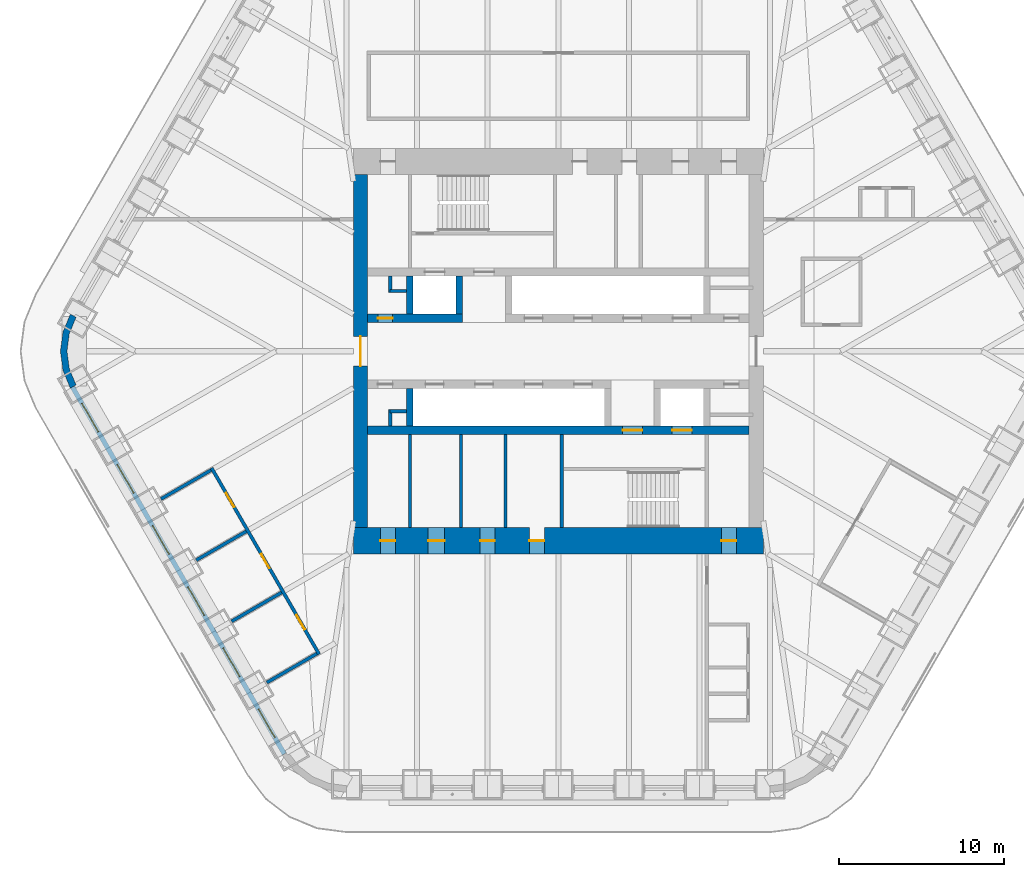
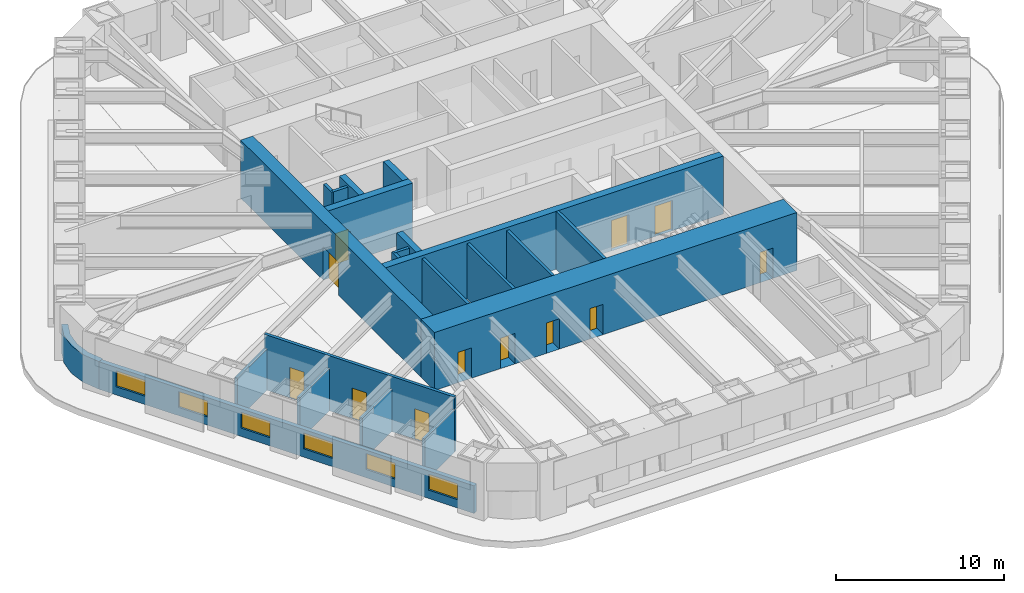
# One storey, part 13 of 18: 22 walls, 12 doors, 6 windows, 18 openings.
"""IFC4 building model written with IfcOpenShell, lengths in metres."""

from ifc_helpers import new_model, si_unit, direction, frame, frame_2d, origin, place, context, subcontext, project, spatial, polyline, rectangle, outline, extrude, material, layer, layer_set, type_object, element, fill, save


model = new_model("IFC4")

# Units and contexts
model_context = context("Model", 3, precision=1e-05, world=origin(), true_north=direction((0.0, 1.0)))
body_context = subcontext(model_context, "Body", "Model", "MODEL_VIEW")
ifc_project = project(units=[si_unit("LENGTHUNIT", "METRE"), si_unit("AREAUNIT", "SQUARE_METRE"), si_unit("VOLUMEUNIT", "CUBIC_METRE"), si_unit("PLANEANGLEUNIT", "RADIAN"), si_unit("MASSUNIT", "GRAM", prefix="KILO")], contexts=[model_context])

# Site, building, storey
site_placement = place(None, origin())
site = spatial("IfcSite", under=ifc_project, at=site_placement, CompositionType="ELEMENT")
building_placement = place(site_placement, origin())
building = spatial("IfcBuilding", under=site, at=building_placement, Name="Tarfa Lantern Tower", CompositionType="ELEMENT")
storey_placement = place(building_placement, frame((0.0, 0.0, 311.5)))
storey = spatial("IfcBuildingStorey", under=building, at=storey_placement, Name="L70", CompositionType="ELEMENT", Elevation=311.5)

# Wall, openings, windows
ifc_material_1 = material(Name="Limestone cladding on blockwork", Category="masonry")
ifc_layer_1 = layer(ifc_material_1, 0.300048828125)
ifc_layer_set_1 = layer_set([ifc_layer_1], Name="EW1 STONE-CLAD WALL 300")
wall_type_1 = type_object("IfcWallType", Name="EW1 STONE-CLAD WALL 300", PredefinedType="SOLIDWALL", material=ifc_layer_set_1)
wall_1_placement = place(storey_placement, frame((-29.459228515625, -2.175048828125, 0.0), z_axis=(0.0, 0.0, 1.0), x_axis=(0.499997191038, -0.866027025533, 0.0)))
wall_1 = element("IfcWall", 1, at=wall_1_placement, inside=storey, type_object=wall_type_1, Name="Stone wall SW", PredefinedType="SOLIDWALL", context=body_context, shape_type="SweptSolid", body=[
    extrude(rectangle(XDim=25.692138671875, YDim=0.300048828125, at=frame_2d((12.84619140625, 0.0))), origin(), (0.0, 0.0, 1.0), 2.0),
])
opening_1_placement = place(wall_1_placement, frame((1.14111328125, 0.0, 0.60009765625)))
opening_1 = element("IfcOpeningElement", 2, at=opening_1_placement, cuts=wall_1, Name="Opening W12", PredefinedType="OPENING", context=body_context, shape_type="SweptSolid", body=[
    extrude(rectangle(XDim=2.0, YDim=1.14990234375, at=frame_2d((1.0, 0.574951171875))), frame((0.0, 0.159912109375, 0.0), z_axis=(0.0, -1.0, 0.0), x_axis=(1.0, 0.0, 0.0)), (0.0, 0.0, 1.0), 0.320068359375),
])
opening_2_placement = place(wall_1_placement, frame((5.423095703125, 0.0, 0.60009765625)))
opening_2 = element("IfcOpeningElement", 3, at=opening_2_placement, cuts=wall_1, Name="Opening W12", PredefinedType="OPENING", context=body_context, shape_type="SweptSolid", body=[
    extrude(rectangle(XDim=2.0, YDim=1.14990234375, at=frame_2d((1.0, 0.574951171875))), frame((0.0, 0.159912109375, 0.0), z_axis=(0.0, -1.0, 0.0), x_axis=(1.0, 0.0, 0.0)), (0.0, 0.0, 1.0), 0.320068359375),
])
opening_3_placement = place(wall_1_placement, frame((9.705078125, 0.0, 0.60009765625)))
opening_3 = element("IfcOpeningElement", 4, at=opening_3_placement, cuts=wall_1, Name="Opening W12", PredefinedType="OPENING", context=body_context, shape_type="SweptSolid", body=[
    extrude(rectangle(XDim=2.0, YDim=1.14990234375, at=frame_2d((1.0, 0.574951171875))), frame((0.0, 0.159912109375, 0.0), z_axis=(0.0, -1.0, 0.0), x_axis=(1.0, 0.0, 0.0)), (0.0, 0.0, 1.0), 0.320068359375),
])
opening_4_placement = place(wall_1_placement, frame((13.987060546875, 0.0, 0.60009765625)))
opening_4 = element("IfcOpeningElement", 5, at=opening_4_placement, cuts=wall_1, Name="Opening W12", PredefinedType="OPENING", context=body_context, shape_type="SweptSolid", body=[
    extrude(rectangle(XDim=2.0, YDim=1.14990234375, at=frame_2d((1.0, 0.574951171875))), frame((0.0, 0.159912109375, 0.0), z_axis=(0.0, -1.0, 0.0), x_axis=(1.0, 0.0, 0.0)), (0.0, 0.0, 1.0), 0.320068359375),
])
opening_5_placement = place(wall_1_placement, frame((18.26904296875, 0.0, 0.60009765625)))
opening_5 = element("IfcOpeningElement", 6, at=opening_5_placement, cuts=wall_1, Name="Opening W12", PredefinedType="OPENING", context=body_context, shape_type="SweptSolid", body=[
    extrude(rectangle(XDim=2.0, YDim=1.14990234375, at=frame_2d((1.0, 0.574951171875))), frame((0.0, 0.159912109375, 0.0), z_axis=(0.0, -1.0, 0.0), x_axis=(1.0, 0.0, 0.0)), (0.0, 0.0, 1.0), 0.320068359375),
])
opening_6_placement = place(wall_1_placement, frame((22.551025390625, 0.0, 0.60009765625)))
opening_6 = element("IfcOpeningElement", 7, at=opening_6_placement, cuts=wall_1, Name="Opening W12", PredefinedType="OPENING", context=body_context, shape_type="SweptSolid", body=[
    extrude(rectangle(XDim=2.0, YDim=1.14990234375, at=frame_2d((1.0, 0.574951171875))), frame((0.0, 0.159912109375, 0.0), z_axis=(0.0, -1.0, 0.0), x_axis=(1.0, 0.0, 0.0)), (0.0, 0.0, 1.0), 0.320068359375),
])
ifc_material_2 = material(Name="Aluminium frame, double glazed", Category="aluminium")
window_type = type_object("IfcWindowType", Name="W12 FULL-HEIGHT GLAZING 2000x1150", PartitioningType="SINGLE_PANEL", PredefinedType="WINDOW", material=ifc_material_2)
window_1_placement = place(opening_1_placement, origin())
window_1 = element("IfcWindow", 8, at=window_1_placement, inside=storey, type_object=window_type, Name="Window SW 1", OverallHeight=1.14990234375, OverallWidth=2.0, PartitioningType="SINGLE_PANEL", PredefinedType="WINDOW", context=body_context, shape_type="SweptSolid", body=[
    extrude(rectangle(XDim=2.0, YDim=1.14990234375, at=frame_2d((1.0, 0.574951171875))), frame((0.0, 0.030029296875, 0.0), z_axis=(0.0, -1.0, 0.0), x_axis=(1.0, 0.0, 0.0)), (0.0, 0.0, 1.0), 0.06005859375),
])
fill(opening_1, window_1)
window_2_placement = place(opening_2_placement, origin())
window_2 = element("IfcWindow", 9, at=window_2_placement, inside=storey, type_object=window_type, Name="Window SW 2", OverallHeight=1.14990234375, OverallWidth=2.0, PartitioningType="SINGLE_PANEL", PredefinedType="WINDOW", context=body_context, shape_type="SweptSolid", body=[
    extrude(rectangle(XDim=2.0, YDim=1.14990234375, at=frame_2d((1.0, 0.574951171875))), frame((0.0, 0.030029296875, 0.0), z_axis=(0.0, -1.0, 0.0), x_axis=(1.0, 0.0, 0.0)), (0.0, 0.0, 1.0), 0.06005859375),
])
fill(opening_2, window_2)
window_3_placement = place(opening_3_placement, origin())
window_3 = element("IfcWindow", 10, at=window_3_placement, inside=storey, type_object=window_type, Name="Window SW 3", OverallHeight=1.14990234375, OverallWidth=2.0, PartitioningType="SINGLE_PANEL", PredefinedType="WINDOW", context=body_context, shape_type="SweptSolid", body=[
    extrude(rectangle(XDim=2.0, YDim=1.14990234375, at=frame_2d((1.0, 0.574951171875))), frame((0.0, 0.030029296875, 0.0), z_axis=(0.0, -1.0, 0.0), x_axis=(1.0, 0.0, 0.0)), (0.0, 0.0, 1.0), 0.06005859375),
])
fill(opening_3, window_3)
window_4_placement = place(opening_4_placement, origin())
window_4 = element("IfcWindow", 11, at=window_4_placement, inside=storey, type_object=window_type, Name="Window SW 4", OverallHeight=1.14990234375, OverallWidth=2.0, PartitioningType="SINGLE_PANEL", PredefinedType="WINDOW", context=body_context, shape_type="SweptSolid", body=[
    extrude(rectangle(XDim=2.0, YDim=1.14990234375, at=frame_2d((1.0, 0.574951171875))), frame((0.0, 0.030029296875, 0.0), z_axis=(0.0, -1.0, 0.0), x_axis=(1.0, 0.0, 0.0)), (0.0, 0.0, 1.0), 0.06005859375),
])
fill(opening_4, window_4)
window_5_placement = place(opening_5_placement, origin())
window_5 = element("IfcWindow", 12, at=window_5_placement, inside=storey, type_object=window_type, Name="Window SW 5", OverallHeight=1.14990234375, OverallWidth=2.0, PartitioningType="SINGLE_PANEL", PredefinedType="WINDOW", context=body_context, shape_type="SweptSolid", body=[
    extrude(rectangle(XDim=2.0, YDim=1.14990234375, at=frame_2d((1.0, 0.574951171875))), frame((0.0, 0.030029296875, 0.0), z_axis=(0.0, -1.0, 0.0), x_axis=(1.0, 0.0, 0.0)), (0.0, 0.0, 1.0), 0.06005859375),
])
fill(opening_5, window_5)
window_6_placement = place(opening_6_placement, origin())
window_6 = element("IfcWindow", 13, at=window_6_placement, inside=storey, type_object=window_type, Name="Window SW 6", OverallHeight=1.14990234375, OverallWidth=2.0, PartitioningType="SINGLE_PANEL", PredefinedType="WINDOW", context=body_context, shape_type="SweptSolid", body=[
    extrude(rectangle(XDim=2.0, YDim=1.14990234375, at=frame_2d((1.0, 0.574951171875))), frame((0.0, 0.030029296875, 0.0), z_axis=(0.0, -1.0, 0.0), x_axis=(1.0, 0.0, 0.0)), (0.0, 0.0, 1.0), 0.06005859375),
])
fill(opening_6, window_6)

# Walls
ifc_layer_2 = layer(ifc_material_1, 0.39990234375)
ifc_layer_set_2 = layer_set([ifc_layer_2], Name="EW2 CURVED STONE CORNER 400")
wall_type_2 = type_object("IfcWallType", Name="EW2 CURVED STONE CORNER 400", PredefinedType="SOLIDWALL", material=ifc_layer_set_2)
wall_2_placement = place(storey_placement, origin())
element("IfcWall", 14, at=wall_2_placement, inside=storey, type_object=wall_type_2, Name="Stone corner NW-SW", PredefinedType="SOLIDWALL", context=body_context, shape_type="SweptSolid", body=[
    extrude(outline(polyline([(-29.589111328125, 2.25), (-30.038818359375, 1.164794921875), (-30.192138671875, 0.0), (-30.038818359375, -1.164794921875), (-29.589111328125, -2.25), (-29.24267578125, -2.050048828125), (-29.65234375, -1.061279296875), (-29.7919921875, 0.0), (-29.65234375, 1.061279296875), (-29.24267578125, 2.050048828125), (-29.589111328125, 2.25)])), origin(), (0.0, 0.0, 1.0), 2.0),
])
ifc_material_3 = material(Name="Concrete blockwork", Category="masonry")
ifc_layer_3 = layer(ifc_material_3, 0.199951171875)
ifc_layer_set_3 = layer_set([ifc_layer_3], Name="IW1 BLOCKWORK PARTITION 200 EI 120")
wall_type_3 = type_object("IfcWallType", Name="IW1 BLOCKWORK PARTITION 200 EI 120", PredefinedType="PARTITIONING", material=ifc_layer_set_3)
for number, where, z_axis, x_axis, name in (
    (15, (-9.0, -5.050048828125, 0.0), (0.0, 0.0, 1.0), (0.0, -1.0, 0.0), "Core partition"),
    (16, (-3.199951171875, -5.050048828125, 0.0), (0.0, 0.0, 1.0), (0.0, -1.0, 0.0), "Core partition"),
    (17, (-5.89990234375, -5.050048828125, 0.0), (0.0, 0.0, 1.0), (0.0, -1.0, 0.0), "Core partition"),
):
    element("IfcWall", number, at=place(storey_placement, frame(where, z_axis=z_axis, x_axis=x_axis)), inside=storey, type_object=wall_type_3, Name=name, PredefinedType="PARTITIONING", context=body_context, shape_type="SweptSolid", body=[
        extrude(rectangle(XDim=5.64990234375, YDim=0.199951171875, at=frame_2d((2.824951171875, 0.0))), origin(), (0.0, 0.0, 1.0), 4.0),
    ])
for number, where, z_axis, x_axis, name in (
    (18, (-10.199951171875, 3.64990234375, 0.0), (0.0, 0.0, 1.0), (1.0, 0.0, 0.0), "Core partition"),
    (19, (-10.199951171875, 3.550048828125, 0.0), (0.0, 0.0, 1.0), (0.0, 1.0, 0.0), "Core partition"),
    (20, (-9.199951171875, -3.64990234375, 0.0), (0.0, 0.0, 1.0), (-1.0, 0.0, 0.0), "Core partition"),
    (21, (-10.199951171875, -3.550048828125, 0.0), (0.0, 0.0, 1.0), (0.0, -1.0, 0.0), "Core partition"),
):
    element("IfcWall", number, at=place(storey_placement, frame(where, z_axis=z_axis, x_axis=x_axis)), inside=storey, type_object=wall_type_3, Name=name, PredefinedType="PARTITIONING", context=body_context, shape_type="SweptSolid", body=[
        extrude(rectangle(XDim=1.0, YDim=0.199951171875, at=frame_2d((0.5, 0.0))), origin(), (0.0, 0.0, 1.0), 4.0),
    ])

# Wall, openings, doors
ifc_material_4 = material(Name="Gypsum board on steel studs", Category="steel")
ifc_layer_4 = layer(ifc_material_4, 0.2099609375)
ifc_layer_set_4 = layer_set([ifc_layer_4], Name="IW2 ACOUSTIC PARTITION 200")
wall_type_4 = type_object("IfcWallType", Name="IW2 ACOUSTIC PARTITION 200", PredefinedType="PARTITIONING", material=ifc_layer_set_4)
wall_3_placement = place(storey_placement, frame((-21.027099609375, -7.080078125, 0.0), z_axis=(0.0, 0.0, 1.0), x_axis=(0.499999460936, -0.866025715013, 0.0)))
wall_3 = element("IfcWall", 22, at=wall_3_placement, inside=storey, type_object=wall_type_4, Name="Partition", PredefinedType="PARTITIONING", context=body_context, shape_type="SweptSolid", body=[
    extrude(rectangle(XDim=13.0458984375, YDim=0.199951171875, at=frame_2d((6.52294921875, 0.0))), origin(), (0.0, 0.0, 1.0), 4.0),
])
opening_7_placement = place(wall_3_placement, frame((1.740966796875, 0.0, 0.0)))
opening_7 = element("IfcOpeningElement", 23, at=opening_7_placement, cuts=wall_3, Name="Opening D23", PredefinedType="OPENING", context=body_context, shape_type="SweptSolid", body=[
    extrude(rectangle(XDim=1.0, YDim=2.199951171875, at=frame_2d((0.5, 1.10009765625))), frame((0.0, 0.10986328125, 0.0), z_axis=(0.0, -1.0, 0.0), x_axis=(1.0, 0.0, 0.0)), (0.0, 0.0, 1.0), 0.219970703125),
])
opening_8_placement = place(wall_3_placement, frame((6.02294921875, 0.0, 0.0)))
opening_8 = element("IfcOpeningElement", 24, at=opening_8_placement, cuts=wall_3, Name="Opening D24", PredefinedType="OPENING", context=body_context, shape_type="SweptSolid", body=[
    extrude(rectangle(XDim=1.0, YDim=2.199951171875, at=frame_2d((0.5, 1.10009765625))), frame((0.0, 0.10986328125, 0.0), z_axis=(0.0, -1.0, 0.0), x_axis=(1.0, 0.0, 0.0)), (0.0, 0.0, 1.0), 0.219970703125),
])
opening_9_placement = place(wall_3_placement, frame((10.304931640625, 0.0, 0.0)))
opening_9 = element("IfcOpeningElement", 25, at=opening_9_placement, cuts=wall_3, Name="Opening D25", PredefinedType="OPENING", context=body_context, shape_type="SweptSolid", body=[
    extrude(rectangle(XDim=1.0, YDim=2.199951171875, at=frame_2d((0.5, 1.10009765625))), frame((0.0, 0.10986328125, 0.0), z_axis=(0.0, -1.0, 0.0), x_axis=(1.0, 0.0, 0.0)), (0.0, 0.0, 1.0), 0.219970703125),
])
ifc_material_5 = material(Name="Timber door", Category="wood")
door_type_1 = type_object("IfcDoorType", Name="DR1 ROOM DOOR 1000x2200", OperationType="SINGLE_SWING_LEFT", PredefinedType="DOOR", material=ifc_material_5)
door_1_placement = place(opening_7_placement, frame((1.0, 0.0, 0.0), z_axis=(0.0, 0.0, 1.0), x_axis=(-1.0, 0.0, 0.0)))
door_1 = element("IfcDoor", 26, at=door_1_placement, inside=storey, type_object=door_type_1, Name="Prayer room male door", OperationType="SINGLE_SWING_LEFT", OverallHeight=2.199951171875, OverallWidth=1.0, PredefinedType="DOOR", context=body_context, shape_type="SweptSolid", body=[
    extrude(rectangle(XDim=1.0, YDim=2.199951171875, at=frame_2d((0.5, 1.10009765625))), frame((0.0, 0.02490234375, 0.0), z_axis=(0.0, -1.0, 0.0), x_axis=(1.0, 0.0, 0.0)), (0.0, 0.0, 1.0), 0.050048828125),
])
fill(opening_7, door_1)
door_2_placement = place(opening_8_placement, frame((1.0, 0.0, 0.0), z_axis=(0.0, 0.0, 1.0), x_axis=(-1.0, 0.0, 0.0)))
door_2 = element("IfcDoor", 27, at=door_2_placement, inside=storey, type_object=door_type_1, Name="Ablution room door", OperationType="SINGLE_SWING_RIGHT", OverallHeight=2.199951171875, OverallWidth=1.0, PredefinedType="DOOR", context=body_context, shape_type="SweptSolid", body=[
    extrude(rectangle(XDim=1.0, YDim=2.199951171875, at=frame_2d((0.5, 1.10009765625))), frame((0.0, 0.02490234375, 0.0), z_axis=(0.0, -1.0, 0.0), x_axis=(1.0, 0.0, 0.0)), (0.0, 0.0, 1.0), 0.050048828125),
])
fill(opening_8, door_2)
door_3_placement = place(opening_9_placement, frame((1.0, 0.0, 0.0), z_axis=(0.0, 0.0, 1.0), x_axis=(-1.0, 0.0, 0.0)))
door_3 = element("IfcDoor", 28, at=door_3_placement, inside=storey, type_object=door_type_1, Name="Prayer room female door", OperationType="SINGLE_SWING_RIGHT", OverallHeight=2.199951171875, OverallWidth=1.0, PredefinedType="DOOR", context=body_context, shape_type="SweptSolid", body=[
    extrude(rectangle(XDim=1.0, YDim=2.199951171875, at=frame_2d((0.5, 1.10009765625))), frame((0.0, 0.02490234375, 0.0), z_axis=(0.0, -1.0, 0.0), x_axis=(1.0, 0.0, 0.0)), (0.0, 0.0, 1.0), 0.050048828125),
])
fill(opening_9, door_3)

# Walls
wall_4_placement = place(storey_placement, frame((-21.063720703125, -7.216552734375, 0.0), z_axis=(0.0, 0.0, 1.0), x_axis=(-0.866019471182, -0.500010275428, 0.0)))
element("IfcWall", 29, at=wall_4_placement, inside=storey, type_object=wall_type_4, Name="Partition", PredefinedType="PARTITIONING", context=body_context, shape_type="SweptSolid", body=[
    extrude(rectangle(XDim=3.5, YDim=0.199951171875, at=frame_2d((1.75, 0.0))), origin(), (0.0, 0.0, 1.0), 2.991943359375),
])
wall_5_placement = place(storey_placement, frame((-18.922607421875, -10.925048828125, 0.0), z_axis=(0.0, 0.0, 1.0), x_axis=(-0.866036909293, -0.499980071345, 0.0)))
element("IfcWall", 30, at=wall_5_placement, inside=storey, type_object=wall_type_4, Name="Partition", PredefinedType="PARTITIONING", context=body_context, shape_type="SweptSolid", body=[
    extrude(rectangle(XDim=3.500244140625, YDim=0.199951171875, at=frame_2d((1.75, 0.0))), origin(), (0.0, 0.0, 1.0), 3.08154296875),
])
for number, where, z_axis, x_axis, name in (
    (31, (-16.78173828125, -14.63330078125, 0.0), (0.0, 0.0, 1.0), (-0.866019471182, -0.500010275428, 0.0), "Partition"),
    (32, (-14.640625, -18.341552734375, 0.0), (0.0, 0.0, 1.0), (-0.866019471182, -0.500010275428, 0.0), "Partition"),
):
    element("IfcWall", number, at=place(storey_placement, frame(where, z_axis=z_axis, x_axis=x_axis)), inside=storey, type_object=wall_type_4, Name=name, PredefinedType="PARTITIONING", context=body_context, shape_type="SweptSolid", body=[
        extrude(rectangle(XDim=3.5, YDim=0.199951171875, at=frame_2d((1.75, 0.0))), origin(), (0.0, 0.0, 1.0), 3.08154296875),
    ])
ifc_material_6 = material(Name="Concrete C80/95", Category="concrete")
ifc_layer_5 = layer(ifc_material_6, 0.199951171875)
ifc_layer_set_5 = layer_set([ifc_layer_5], Name="SW12 CORE WALL 200")
wall_type_5 = type_object("IfcWallType", Name="SW12 CORE WALL 200", PredefinedType="SHEAR", material=ifc_layer_set_5)
wall_6_placement = place(storey_placement, frame((0.199951171875, -5.050048828125, 0.0), z_axis=(0.0, 0.0, 1.0), x_axis=(0.0, -1.0, 0.0)))
element("IfcWall", 33, at=wall_6_placement, inside=storey, type_object=wall_type_5, Name="Core wall stair shaft S", PredefinedType="SHEAR", context=body_context, shape_type="SweptSolid", body=[
    extrude(rectangle(XDim=5.64990234375, YDim=0.199951171875, at=frame_2d((2.824951171875, 0.0))), origin(), (0.0, 0.0, 1.0), 4.199951171875),
])

# Wall, opening, door
ifc_layer_6 = layer(ifc_material_6, 0.85009765625)
ifc_layer_set_6 = layer_set([ifc_layer_6], Name="SW3 CORE WALL 850")
wall_type_6 = type_object("IfcWallType", Name="SW3 CORE WALL 850", PredefinedType="SHEAR", material=ifc_layer_set_6)
wall_7_placement = place(storey_placement, frame((-12.0, 10.699951171875, 0.0), z_axis=(0.0, 0.0, 1.0), x_axis=(0.0, -1.0, 0.0)))
wall_7 = element("IfcWall", 34, at=wall_7_placement, inside=storey, type_object=wall_type_6, Name="Core wall W", PredefinedType="SHEAR", context=body_context, shape_type="SweptSolid", body=[
    extrude(rectangle(XDim=21.39990234375, YDim=0.85009765625, at=frame_2d((10.699951171875, 0.0))), origin(), (0.0, 0.0, 1.0), 4.199951171875),
])
opening_10_placement = place(wall_7_placement, frame((9.800048828125, 0.0, 0.0)))
opening_10 = element("IfcOpeningElement", 35, at=opening_10_placement, cuts=wall_7, Name="Opening D08", PredefinedType="OPENING", context=body_context, shape_type="SweptSolid", body=[
    extrude(rectangle(XDim=1.800048828125, YDim=2.39990234375, at=frame_2d((0.89990234375, 1.199951171875))), frame((0.0, 0.43505859375, 0.0), z_axis=(0.0, -1.0, 0.0), x_axis=(1.0, 0.0, 0.0)), (0.0, 0.0, 1.0), 0.8701171875),
])
ifc_material_7 = material(Name="Steel fire door", Category="steel")
door_type_2 = type_object("IfcDoorType", Name="DL1 LOBBY DOOR 1800x2400", OperationType="DOUBLE_DOOR_SINGLE_SWING", PredefinedType="DOOR", material=ifc_material_7)
door_4_placement = place(opening_10_placement, frame((1.800048828125, 0.0, 0.0), z_axis=(0.0, 0.0, 1.0), x_axis=(-1.0, 0.0, 0.0)))
door_4 = element("IfcDoor", 36, at=door_4_placement, inside=storey, type_object=door_type_2, Name="Lift lobby door", OperationType="DOUBLE_DOOR_SINGLE_SWING", OverallHeight=2.39990234375, OverallWidth=1.800048828125, PredefinedType="DOOR", context=body_context, shape_type="SweptSolid", body=[
    extrude(rectangle(XDim=1.800048828125, YDim=2.39990234375, at=frame_2d((0.89990234375, 1.199951171875))), frame((0.0, 0.02490234375, 0.0), z_axis=(0.0, -1.0, 0.0), x_axis=(1.0, 0.0, 0.0)), (0.0, 0.0, 1.0), 0.050048828125),
])
fill(opening_10, door_4)

ifc_layer_7 = layer(ifc_material_6, 0.5)
ifc_layer_set_7 = layer_set([ifc_layer_7], Name="SW5 CORE WALL 500")
wall_type_7 = type_object("IfcWallType", Name="SW5 CORE WALL 500", PredefinedType="SHEAR", material=ifc_layer_set_7)
wall_8_placement = place(storey_placement, frame((-11.574951171875, 2.0, 0.0), z_axis=(0.0, 0.0, 1.0), x_axis=(1.0, 0.0, 0.0)))
wall_8 = element("IfcWall", 37, at=wall_8_placement, inside=storey, type_object=wall_type_7, Name="Core wall lobby west N", PredefinedType="SHEAR", context=body_context, shape_type="SweptSolid", body=[
    extrude(rectangle(XDim=5.77490234375, YDim=0.5, at=frame_2d((2.887451171875, 0.0))), origin(), (0.0, 0.0, 1.0), 4.199951171875),
])
opening_11_placement = place(wall_8_placement, frame((0.625, 0.0, 0.0)))
opening_11 = element("IfcOpeningElement", 38, at=opening_11_placement, cuts=wall_8, Name="Opening D11", PredefinedType="OPENING", context=body_context, shape_type="SweptSolid", body=[
    extrude(rectangle(XDim=0.89990234375, YDim=2.199951171875, at=frame_2d((0.449951171875, 1.10009765625))), frame((0.0, 0.260009765625, 0.0), z_axis=(0.0, -1.0, 0.0), x_axis=(1.0, 0.0, 0.0)), (0.0, 0.0, 1.0), 0.52001953125),
])
door_type_3 = type_object("IfcDoorType", Name="DF6 SERVICE ROOM DOOR 900x2200", OperationType="SINGLE_SWING_LEFT", PredefinedType="DOOR", material=ifc_material_7)
door_5_placement = place(opening_11_placement, origin())
door_5 = element("IfcDoor", 39, at=door_5_placement, inside=storey, type_object=door_type_3, Name="Service room door", OperationType="SINGLE_SWING_RIGHT", OverallHeight=2.199951171875, OverallWidth=0.89990234375, PredefinedType="DOOR", context=body_context, shape_type="SweptSolid", body=[
    extrude(rectangle(XDim=0.89990234375, YDim=2.199951171875, at=frame_2d((0.449951171875, 1.10009765625))), frame((0.0, 0.02490234375, 0.0), z_axis=(0.0, -1.0, 0.0), x_axis=(1.0, 0.0, 0.0)), (0.0, 0.0, 1.0), 0.050048828125),
])
fill(opening_11, door_5)

# Wall, openings, doors
wall_9_placement = place(storey_placement, frame((11.574951171875, -4.800048828125, 0.0), z_axis=(0.0, 0.0, 1.0), x_axis=(-1.0, 0.0, 0.0)))
wall_9 = element("IfcWall", 40, at=wall_9_placement, inside=storey, type_object=wall_type_7, Name="Core wall rear S", PredefinedType="SHEAR", context=body_context, shape_type="SweptSolid", body=[
    extrude(rectangle(XDim=23.14990234375, YDim=0.5, at=frame_2d((11.574951171875, 0.0))), origin(), (0.0, 0.0, 1.0), 4.199951171875),
])
opening_12_placement = place(wall_9_placement, frame((6.47509765625, 0.0, 0.0)))
opening_12 = element("IfcOpeningElement", 41, at=opening_12_placement, cuts=wall_9, Name="Opening D06", PredefinedType="OPENING", context=body_context, shape_type="SweptSolid", body=[
    extrude(rectangle(XDim=1.199951171875, YDim=2.199951171875, at=frame_2d((0.60009765625, 1.10009765625))), frame((0.0, 0.260009765625, 0.0), z_axis=(0.0, -1.0, 0.0), x_axis=(1.0, 0.0, 0.0)), (0.0, 0.0, 1.0), 0.52001953125),
])
opening_13_placement = place(wall_9_placement, frame((3.47509765625, 0.0, 0.0)))
opening_13 = element("IfcOpeningElement", 42, at=opening_13_placement, cuts=wall_9, Name="Opening LD02", PredefinedType="OPENING", context=body_context, shape_type="SweptSolid", body=[
    extrude(rectangle(XDim=1.199951171875, YDim=2.199951171875, at=frame_2d((0.60009765625, 1.10009765625))), frame((0.0, 0.260009765625, 0.0), z_axis=(0.0, -1.0, 0.0), x_axis=(1.0, 0.0, 0.0)), (0.0, 0.0, 1.0), 0.52001953125),
])
door_type_4 = type_object("IfcDoorType", Name="DF1 FIREFIGHTING LOBBY DOOR 1200x2200", OperationType="SINGLE_SWING_LEFT", PredefinedType="DOOR", material=ifc_material_7)
door_6_placement = place(opening_12_placement, origin())
door_6 = element("IfcDoor", 43, at=door_6_placement, inside=storey, type_object=door_type_4, Name="Firefighting lobby door", OperationType="SINGLE_SWING_LEFT", OverallHeight=2.199951171875, OverallWidth=1.199951171875, PredefinedType="DOOR", context=body_context, shape_type="SweptSolid", body=[
    extrude(rectangle(XDim=1.199951171875, YDim=2.199951171875, at=frame_2d((0.60009765625, 1.10009765625))), frame((0.0, 0.02490234375, 0.0), z_axis=(0.0, -1.0, 0.0), x_axis=(1.0, 0.0, 0.0)), (0.0, 0.0, 1.0), 0.050048828125),
])
fill(opening_12, door_6)
ifc_material_8 = material(Name="Stainless steel lift door", Category="steel")
door_type_5 = type_object("IfcDoorType", Name="LD1 LIFT LANDING DOOR 1200x2200", OperationType="SLIDING_TO_LEFT", PredefinedType="DOOR", material=ifc_material_8)
door_7_placement = place(opening_13_placement, origin())
door_7 = element("IfcDoor", 44, at=door_7_placement, inside=storey, type_object=door_type_5, Name="Landing door FL2", OperationType="SLIDING_TO_LEFT", OverallHeight=2.199951171875, OverallWidth=1.199951171875, PredefinedType="DOOR", context=body_context, shape_type="SweptSolid", body=[
    extrude(rectangle(XDim=1.199951171875, YDim=2.199951171875, at=frame_2d((0.60009765625, 1.10009765625))), frame((0.0, 0.02490234375, 0.0), z_axis=(0.0, -1.0, 0.0), x_axis=(1.0, 0.0, 0.0)), (0.0, 0.0, 1.0), 0.050048828125),
])
fill(opening_13, door_7)

# Walls
ifc_layer_8 = layer(ifc_material_6, 0.39990234375)
ifc_layer_set_8 = layer_set([ifc_layer_8], Name="SW6 CORE WALL 400")
wall_type_8 = type_object("IfcWallType", Name="SW6 CORE WALL 400", PredefinedType="SHEAR", material=ifc_layer_set_8)
for number, where, z_axis, x_axis, name in (
    (45, (-9.0, 2.25, 0.0), (0.0, 0.0, 1.0), (0.0, 1.0, 0.0), "Core wall divider N"),
    (46, (-6.0, 2.25, 0.0), (0.0, 0.0, 1.0), (0.0, 1.0, 0.0), "Core wall divider N"),
    (47, (-9.0, -2.25, 0.0), (0.0, 0.0, 1.0), (0.0, -1.0, 0.0), "Core wall divider S"),
):
    element("IfcWall", number, at=place(storey_placement, frame(where, z_axis=z_axis, x_axis=x_axis)), inside=storey, type_object=wall_type_8, Name=name, PredefinedType="SHEAR", context=body_context, shape_type="SweptSolid", body=[
        extrude(rectangle(XDim=2.300048828125, YDim=0.39990234375, at=frame_2d((1.14990234375, 0.0))), origin(), (0.0, 0.0, 1.0), 4.199951171875),
    ])

# Wall, openings, doors
ifc_layer_9 = layer(ifc_material_6, 1.60009765625)
ifc_layer_set_9 = layer_set([ifc_layer_9], Name="SW7 CORE WALL 1600")
wall_type_9 = type_object("IfcWallType", Name="SW7 CORE WALL 1600", PredefinedType="SHEAR", material=ifc_layer_set_9)
wall_10_placement = place(storey_placement, frame((12.425048828125, -11.5, 0.0), z_axis=(0.0, 0.0, 1.0), x_axis=(-1.0, 0.0, 0.0)))
wall_10 = element("IfcWall", 48, at=wall_10_placement, inside=storey, type_object=wall_type_9, Name="Core wall S", PredefinedType="SHEAR", context=body_context, shape_type="SweptSolid", body=[
    extrude(rectangle(XDim=24.85009765625, YDim=1.60009765625, at=frame_2d((12.425048828125, 0.0))), origin(), (0.0, 0.0, 1.0), 4.199951171875),
])
opening_14_placement = place(wall_10_placement, frame((13.27490234375, 0.0, 0.0)))
opening_14 = element("IfcOpeningElement", 49, at=opening_14_placement, cuts=wall_10, Name="Opening D14", PredefinedType="OPENING", context=body_context, shape_type="SweptSolid", body=[
    extrude(rectangle(XDim=0.89990234375, YDim=2.199951171875, at=frame_2d((0.449951171875, 1.10009765625))), frame((0.0, 0.81005859375, 0.0), z_axis=(0.0, -1.0, 0.0), x_axis=(1.0, 0.0, 0.0)), (0.0, 0.0, 1.0), 1.6201171875),
])
opening_15_placement = place(wall_10_placement, frame((16.27490234375, 0.0, 0.0)))
opening_15 = element("IfcOpeningElement", 50, at=opening_15_placement, cuts=wall_10, Name="Opening D16", PredefinedType="OPENING", context=body_context, shape_type="SweptSolid", body=[
    extrude(rectangle(XDim=0.89990234375, YDim=2.199951171875, at=frame_2d((0.449951171875, 1.10009765625))), frame((0.0, 0.81005859375, 0.0), z_axis=(0.0, -1.0, 0.0), x_axis=(1.0, 0.0, 0.0)), (0.0, 0.0, 1.0), 1.6201171875),
])
opening_16_placement = place(wall_10_placement, frame((19.324951171875, 0.0, 0.0)))
opening_16 = element("IfcOpeningElement", 51, at=opening_16_placement, cuts=wall_10, Name="Opening D18", PredefinedType="OPENING", context=body_context, shape_type="SweptSolid", body=[
    extrude(rectangle(XDim=1.0, YDim=2.199951171875, at=frame_2d((0.5, 1.10009765625))), frame((0.0, 0.81005859375, 0.0), z_axis=(0.0, -1.0, 0.0), x_axis=(1.0, 0.0, 0.0)), (0.0, 0.0, 1.0), 1.6201171875),
])
opening_17_placement = place(wall_10_placement, frame((1.637451171875, 0.0, 0.0)))
opening_17 = element("IfcOpeningElement", 52, at=opening_17_placement, cuts=wall_10, Name="Opening D04", PredefinedType="OPENING", context=body_context, shape_type="SweptSolid", body=[
    extrude(rectangle(XDim=0.89990234375, YDim=2.199951171875, at=frame_2d((0.449951171875, 1.10009765625))), frame((0.0, 0.81005859375, 0.0), z_axis=(0.0, -1.0, 0.0), x_axis=(1.0, 0.0, 0.0)), (0.0, 0.0, 1.0), 1.6201171875),
])
opening_18_placement = place(wall_10_placement, frame((22.3125, 0.0, 0.0)))
opening_18 = element("IfcOpeningElement", 53, at=opening_18_placement, cuts=wall_10, Name="Opening D02", PredefinedType="OPENING", context=body_context, shape_type="SweptSolid", body=[
    extrude(rectangle(XDim=0.89990234375, YDim=2.199951171875, at=frame_2d((0.449951171875, 1.10009765625))), frame((0.0, 0.81005859375, 0.0), z_axis=(0.0, -1.0, 0.0), x_axis=(1.0, 0.0, 0.0)), (0.0, 0.0, 1.0), 1.6201171875),
])
door_type_6 = type_object("IfcDoorType", Name="DF3 CORE ROOM DOOR 900x2200", OperationType="SINGLE_SWING_LEFT", PredefinedType="DOOR", material=ifc_material_7)
door_8_placement = place(opening_14_placement, frame((0.89990234375, 0.0, 0.0), z_axis=(0.0, 0.0, 1.0), x_axis=(-1.0, 0.0, 0.0)))
door_8 = element("IfcDoor", 54, at=door_8_placement, inside=storey, type_object=door_type_6, Name="Core door", OperationType="SINGLE_SWING_LEFT", OverallHeight=2.199951171875, OverallWidth=0.89990234375, PredefinedType="DOOR", context=body_context, shape_type="SweptSolid", body=[
    extrude(rectangle(XDim=0.89990234375, YDim=2.199951171875, at=frame_2d((0.449951171875, 1.10009765625))), frame((0.0, 0.02490234375, 0.0), z_axis=(0.0, -1.0, 0.0), x_axis=(1.0, 0.0, 0.0)), (0.0, 0.0, 1.0), 0.050048828125),
])
fill(opening_14, door_8)
door_9_placement = place(opening_15_placement, frame((0.89990234375, 0.0, 0.0), z_axis=(0.0, 0.0, 1.0), x_axis=(-1.0, 0.0, 0.0)))
door_9 = element("IfcDoor", 55, at=door_9_placement, inside=storey, type_object=door_type_6, Name="Core door", OperationType="SINGLE_SWING_LEFT", OverallHeight=2.199951171875, OverallWidth=0.89990234375, PredefinedType="DOOR", context=body_context, shape_type="SweptSolid", body=[
    extrude(rectangle(XDim=0.89990234375, YDim=2.199951171875, at=frame_2d((0.449951171875, 1.10009765625))), frame((0.0, 0.02490234375, 0.0), z_axis=(0.0, -1.0, 0.0), x_axis=(1.0, 0.0, 0.0)), (0.0, 0.0, 1.0), 0.050048828125),
])
fill(opening_15, door_9)
door_type_7 = type_object("IfcDoorType", Name="DF4 CORE ROOM DOOR 1000x2200", OperationType="SINGLE_SWING_LEFT", PredefinedType="DOOR", material=ifc_material_7)
door_10_placement = place(opening_16_placement, frame((1.0, 0.0, 0.0), z_axis=(0.0, 0.0, 1.0), x_axis=(-1.0, 0.0, 0.0)))
door_10 = element("IfcDoor", 56, at=door_10_placement, inside=storey, type_object=door_type_7, Name="Core door", OperationType="SINGLE_SWING_LEFT", OverallHeight=2.199951171875, OverallWidth=1.0, PredefinedType="DOOR", context=body_context, shape_type="SweptSolid", body=[
    extrude(rectangle(XDim=1.0, YDim=2.199951171875, at=frame_2d((0.5, 1.10009765625))), frame((0.0, 0.02490234375, 0.0), z_axis=(0.0, -1.0, 0.0), x_axis=(1.0, 0.0, 0.0)), (0.0, 0.0, 1.0), 0.050048828125),
])
fill(opening_16, door_10)
door_type_8 = type_object("IfcDoorType", Name="DF5 RISER DOOR 900x2200", OperationType="SINGLE_SWING_LEFT", PredefinedType="DOOR", material=ifc_material_7)
door_11_placement = place(opening_17_placement, frame((0.89990234375, 0.0, 0.0), z_axis=(0.0, 0.0, 1.0), x_axis=(-1.0, 0.0, 0.0)))
door_11 = element("IfcDoor", 57, at=door_11_placement, inside=storey, type_object=door_type_8, Name="Riser door", OperationType="SINGLE_SWING_LEFT", OverallHeight=2.199951171875, OverallWidth=0.89990234375, PredefinedType="DOOR", context=body_context, shape_type="SweptSolid", body=[
    extrude(rectangle(XDim=0.89990234375, YDim=2.199951171875, at=frame_2d((0.449951171875, 1.10009765625))), frame((0.0, 0.02490234375, 0.0), z_axis=(0.0, -1.0, 0.0), x_axis=(1.0, 0.0, 0.0)), (0.0, 0.0, 1.0), 0.050048828125),
])
fill(opening_17, door_11)
door_12_placement = place(opening_18_placement, frame((0.89990234375, 0.0, 0.0), z_axis=(0.0, 0.0, 1.0), x_axis=(-1.0, 0.0, 0.0)))
door_12 = element("IfcDoor", 58, at=door_12_placement, inside=storey, type_object=door_type_8, Name="Riser door", OperationType="SINGLE_SWING_RIGHT", OverallHeight=2.199951171875, OverallWidth=0.89990234375, PredefinedType="DOOR", context=body_context, shape_type="SweptSolid", body=[
    extrude(rectangle(XDim=0.89990234375, YDim=2.199951171875, at=frame_2d((0.449951171875, 1.10009765625))), frame((0.0, 0.02490234375, 0.0), z_axis=(0.0, -1.0, 0.0), x_axis=(1.0, 0.0, 0.0)), (0.0, 0.0, 1.0), 0.050048828125),
])
fill(opening_18, door_12)

save(model, "model.ifc")
